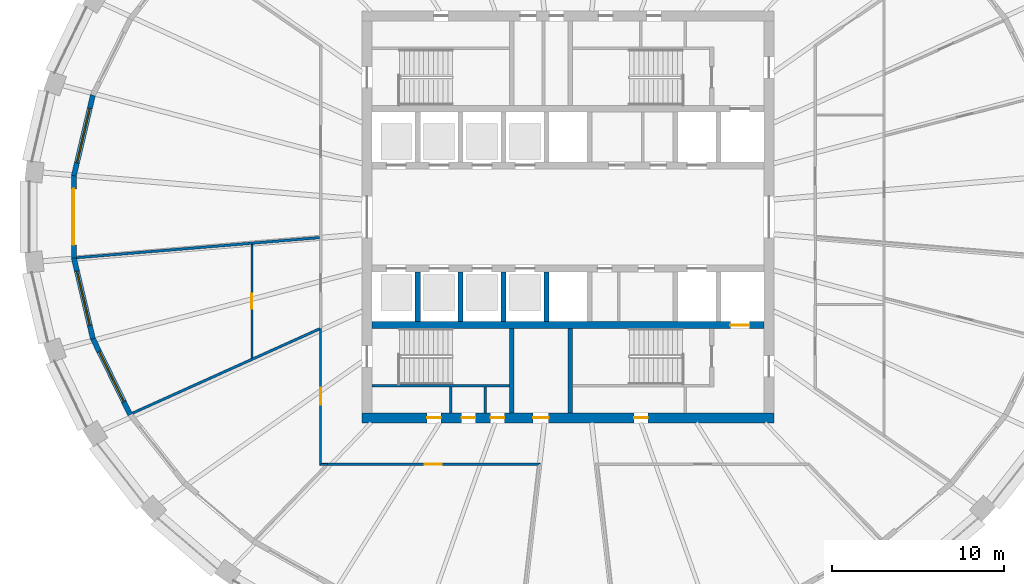
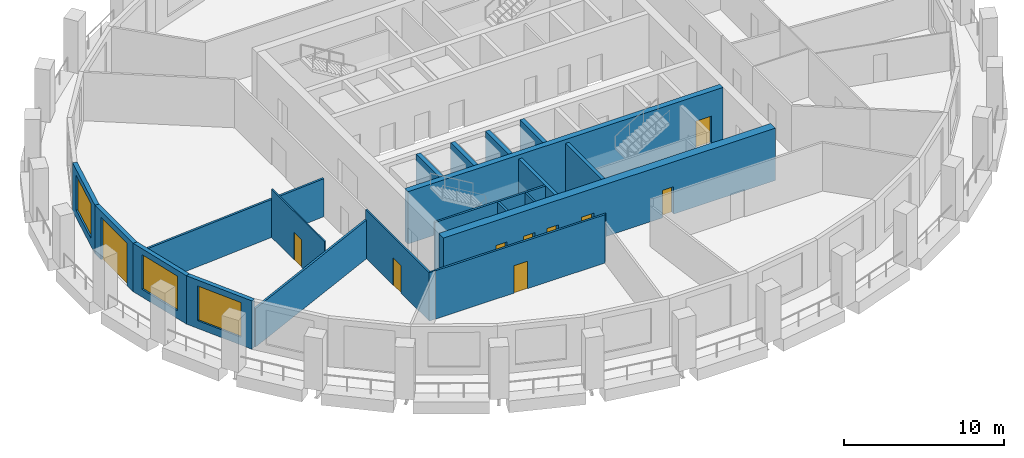
# One storey, part 3 of 11: 21 walls, 10 doors, 3 windows, 13 openings.
"""IFC4 building model written with IfcOpenShell, lengths in metres."""

from ifc_helpers import new_model, si_unit, direction, frame, frame_2d, origin, place, context, subcontext, project, spatial, polyline, rectangle, outline, extrude, material, layer, layer_set, type_object, element, fill, save


model = new_model("IFC4")

# Units and contexts
model_context = context("Model", 3, precision=1e-05, world=origin(), true_north=direction((0.0, 1.0)))
body_context = subcontext(model_context, "Body", "Model", "MODEL_VIEW")
ifc_project = project(units=[si_unit("LENGTHUNIT", "METRE"), si_unit("AREAUNIT", "SQUARE_METRE"), si_unit("VOLUMEUNIT", "CUBIC_METRE"), si_unit("PLANEANGLEUNIT", "RADIAN"), si_unit("MASSUNIT", "GRAM", prefix="KILO")], contexts=[model_context])

# Site, building, storey
site_placement = place(None, origin())
site = spatial("IfcSite", under=ifc_project, at=site_placement, CompositionType="ELEMENT")
building_placement = place(site_placement, origin())
building = spatial("IfcBuilding", under=site, at=building_placement, Name="Halqa Exchange Tower", CompositionType="ELEMENT")
storey_placement = place(building_placement, frame((0.0, 0.0, 234.89990234375)))
storey = spatial("IfcBuildingStorey", under=building, at=storey_placement, Name="L54", CompositionType="ELEMENT", Elevation=234.89990234375)

# Walls
ifc_material_1 = material(Name="Fire-rated gypsum board")
ifc_layer_1 = layer(ifc_material_1, 0.14990234375)
ifc_layer_set_1 = layer_set([ifc_layer_1], Name="Fire-rated gypsum board")
wall_type_1 = type_object("IfcWallType", Name="Fire partition EI 60 150", PredefinedType="PARTITIONING", material=ifc_layer_set_1)
wall_1_placement = place(storey_placement, frame((-28.607666015625, -2.375, 0.0), z_axis=(0.0, 0.0, 1.0), x_axis=(0.996598135394, 0.082414540768, 0.0)))
element("IfcWall", 1, at=wall_1_placement, inside=storey, type_object=wall_type_1, Name="L54-PWL-001", PredefinedType="PARTITIONING", context=body_context, shape_type="SweptSolid", body=[
    extrude(outline(polyline([(0.004638671875, -0.074951171875), (1.701416015625, -0.074951171875), (3.3984375, -0.074951171875), (5.095458984375, -0.074951171875), (6.792236328125, -0.074951171875), (8.4892578125, -0.074951171875), (10.18603515625, -0.074951171875), (10.186279296875, -0.07470703125), (10.188720703125, -0.074951171875), (12.181640625, -0.074951171875), (14.1748046875, -0.074951171875), (14.186767578125, 0.07080078125), (14.186767578125, 0.074951171875), (12.413330078125, 0.074951171875), (10.64013671875, 0.074951171875), (8.86669921875, 0.074951171875), (7.09326171875, 0.074951171875), (5.320068359375, 0.074951171875), (3.546630859375, 0.074951171875), (1.7734375, 0.074951171875), (0.0, 0.074951171875), (0.0, -0.04443359375), (0.004638671875, -0.074951171875)])), origin(), (0.0, 0.0, 1.0), 2.91015625),
])
wall_2_placement = place(storey_placement, frame((-25.360107421875, -11.428466796875, 0.0), z_axis=(0.0, 0.0, 1.0), x_axis=(0.911719171836, 0.410814011089, 0.0)))
element("IfcWall", 2, at=wall_2_placement, inside=storey, type_object=wall_type_1, Name="L54-PWL-002", PredefinedType="PARTITIONING", context=body_context, shape_type="SweptSolid", body=[
    extrude(outline(polyline([(0.0205078125, -0.074951171875), (2.004150390625, -0.074951171875), (3.98779296875, -0.074951171875), (5.97119140625, -0.074951171875), (7.954833984375, -0.074951171875), (9.938232421875, -0.074951171875), (11.921875, -0.074951171875), (11.966552734375, 0.024658203125), (11.952880859375, 0.03076171875), (11.972412109375, 0.073974609375), (11.972412109375, 0.074951171875), (10.555908203125, 0.074951171875), (9.13916015625, 0.074951171875), (7.72265625, 0.074951171875), (7.7216796875, 0.07275390625), (7.716796875, 0.074951171875), (5.78759765625, 0.074951171875), (3.8583984375, 0.074951171875), (1.92919921875, 0.074951171875), (0.0, 0.074951171875), (0.0, 0.062744140625), (0.002197265625, -0.001708984375), (0.0205078125, -0.074951171875)])), origin(), (0.0, 0.0, 1.0), 2.947021484375),
])

# Wall, opening, door
wall_3_placement = place(storey_placement, frame((-1.595703125, -14.39990234375, 0.0), z_axis=(0.0, 0.0, 1.0), x_axis=(-1.0, 0.0, 0.0)))
wall_3 = element("IfcWall", 3, at=wall_3_placement, inside=storey, type_object=wall_type_1, Name="L54-PWL-012", PredefinedType="PARTITIONING", context=body_context, shape_type="SweptSolid", body=[
    extrude(outline(polyline([(12.414306640625, 0.074951171875), (10.664794921875, 0.074951171875), (8.91552734375, 0.074951171875), (7.166015625, 0.074951171875), (5.416748046875, 0.074951171875), (3.667236328125, 0.074951171875), (1.917724609375, 0.074951171875), (0.16845703125, 0.074951171875), (0.0, -0.074951171875), (0.0, -0.074951171875), (1.7734375, -0.074951171875), (3.546875, -0.074951171875), (5.3203125, -0.074951171875), (7.093994140625, -0.074951171875), (8.867431640625, -0.074951171875), (10.640869140625, -0.074951171875), (12.414306640625, -0.074951171875), (12.414306640625, 0.074951171875)])), origin(), (0.0, 0.0, 1.0), 3.7001953125),
])
opening_1_placement = place(wall_3_placement, frame((5.749267578125, 0.0, 0.0)))
opening_1 = element("IfcOpeningElement", 4, at=opening_1_placement, cuts=wall_3, Name="Opening 16-05", PredefinedType="OPENING", context=body_context, shape_type="SweptSolid", body=[
    extrude(rectangle(XDim=1.0, YDim=2.10009765625, at=frame_2d((0.5, 1.050048828125))), frame((0.0, 0.0869140625, 0.0), z_axis=(0.0, -1.0, 0.0), x_axis=(1.0, 0.0, 0.0)), (0.0, 0.0, 1.0), 0.173828125),
])
ifc_material_2 = material(Name="Steel fire door leaf", Category="steel")
door_type_1 = type_object("IfcDoorType", Name="Fire door FD30S 1000 x 2100", OperationType="SINGLE_SWING_LEFT", PredefinedType="DOOR", material=ifc_material_2)
door_1_placement = place(opening_1_placement, origin())
door_1 = element("IfcDoor", 5, at=door_1_placement, inside=storey, type_object=door_type_1, Name="L54-IDR-005", OperationType="SINGLE_SWING_LEFT", OverallHeight=2.10009765625, OverallWidth=1.0, PredefinedType="DOOR", context=body_context, shape_type="SweptSolid", body=[
    extrude(rectangle(XDim=1.0, YDim=2.10009765625, at=frame_2d((0.5, 1.050048828125))), frame((0.0, 0.02490234375, 0.0), z_axis=(0.0, -1.0, 0.0), x_axis=(1.0, 0.0, 0.0)), (0.0, 0.0, 1.0), 0.050048828125),
])
fill(opening_1, door_1)

ifc_material_3 = material(Name="Fire-rated glazing", Category="glass")
ifc_layer_2 = layer(ifc_material_3, 0.1201171875)
ifc_layer_set_2 = layer_set([ifc_layer_2], Name="Fire-rated glazing")
wall_type_2 = type_object("IfcWallType", Name="Glazed fire partition EI 60 120", PredefinedType="PARTITIONING", material=ifc_layer_set_2)
wall_4_placement = place(storey_placement, frame((-14.39990234375, -14.4599609375, 0.0), z_axis=(0.0, 0.0, 1.0), x_axis=(0.0, 1.0, 0.0)))
wall_4 = element("IfcWall", 6, at=wall_4_placement, inside=storey, type_object=wall_type_2, Name="L54-PWL-005", PredefinedType="PARTITIONING", context=body_context, shape_type="SweptSolid", body=[
    extrude(outline(polyline([(7.969970703125, 0.06005859375), (5.9775390625, 0.06005859375), (3.98486328125, 0.06005859375), (1.992431640625, 0.06005859375), (0.0, 0.06005859375), (0.1201171875, -0.06005859375), (2.08251953125, -0.06005859375), (4.044921875, -0.06005859375), (6.007568359375, -0.06005859375), (7.969970703125, -0.06005859375), (7.969970703125, 0.06005859375)])), origin(), (0.0, 0.0, 1.0), 3.7001953125),
])
opening_2_placement = place(wall_4_placement, frame((3.514892578125, 0.0, 0.0)))
opening_2 = element("IfcOpeningElement", 7, at=opening_2_placement, cuts=wall_4, Name="Opening 16-04", PredefinedType="OPENING", context=body_context, shape_type="SweptSolid", body=[
    extrude(rectangle(XDim=1.0, YDim=2.10009765625, at=frame_2d((0.5, 1.050048828125))), frame((0.0, 0.072021484375, 0.0), z_axis=(0.0, -1.0, 0.0), x_axis=(1.0, 0.0, 0.0)), (0.0, 0.0, 1.0), 0.14404296875),
])
door_2_placement = place(opening_2_placement, origin())
door_2 = element("IfcDoor", 8, at=door_2_placement, inside=storey, type_object=door_type_1, Name="L54-IDR-004", OperationType="SINGLE_SWING_LEFT", OverallHeight=2.10009765625, OverallWidth=1.0, PredefinedType="DOOR", context=body_context, shape_type="SweptSolid", body=[
    extrude(rectangle(XDim=1.0, YDim=2.10009765625, at=frame_2d((0.5, 1.050048828125))), frame((0.0, 0.02490234375, 0.0), z_axis=(0.0, -1.0, 0.0), x_axis=(1.0, 0.0, 0.0)), (0.0, 0.0, 1.0), 0.050048828125),
])
fill(opening_2, door_2)

# Wall
wall_5_placement = place(storey_placement, frame((-14.010009765625, -14.39990234375, 0.0), z_axis=(0.0, 0.0, 1.0), x_axis=(-1.0, 0.0, 0.0)))
element("IfcWall", 9, at=wall_5_placement, inside=storey, type_object=wall_type_2, Name="L54-PWL-009", PredefinedType="PARTITIONING", context=body_context, shape_type="SweptSolid", body=[
    extrude(outline(polyline([(0.0, -0.06005859375), (0.329833984375, -0.06005859375), (0.449951171875, 0.06005859375), (0.0, 0.06005859375), (0.0, -0.06005859375)])), origin(), (0.0, 0.0, 1.0), 3.7001953125),
])

# Wall, opening, door
ifc_material_4 = material(Name="Gypsum board")
ifc_layer_3 = layer(ifc_material_4, 0.10009765625)
ifc_layer_set_3 = layer_set([ifc_layer_3], Name="Gypsum board")
wall_type_3 = type_object("IfcWallType", Name="Partition 100 gypsum", PredefinedType="PARTITIONING", material=ifc_layer_set_3)
wall_6_placement = place(storey_placement, frame((-18.39990234375, -8.232421875, 0.0), z_axis=(0.0, 0.0, 1.0), x_axis=(0.0, 1.0, 0.0)))
wall_6 = element("IfcWall", 10, at=wall_6_placement, inside=storey, type_object=wall_type_3, Name="L54-PWL-003", PredefinedType="PARTITIONING", context=body_context, shape_type="SweptSolid", body=[
    extrude(outline(polyline([(6.63037109375, -0.050048828125), (6.63037109375, -0.04833984375), (6.622314453125, 0.050048828125), (4.966796875, 0.050048828125), (3.31103515625, 0.050048828125), (1.655517578125, 0.050048828125), (0.0, 0.050048828125), (0.0, 0.0498046875), (0.044921875, -0.050048828125), (1.69140625, -0.050048828125), (3.337646484375, -0.050048828125), (4.984130859375, -0.050048828125), (6.63037109375, -0.050048828125)])), origin(), (0.0, 0.0, 1.0), 3.7001953125),
])
opening_3_placement = place(wall_6_placement, frame((2.87255859375, 0.0, 0.0)))
opening_3 = element("IfcOpeningElement", 11, at=opening_3_placement, cuts=wall_6, Name="Opening 16-11", PredefinedType="OPENING", context=body_context, shape_type="SweptSolid", body=[
    extrude(rectangle(XDim=0.89990234375, YDim=2.10009765625, at=frame_2d((0.449951171875, 1.050048828125))), frame((0.0, 0.06201171875, 0.0), z_axis=(0.0, -1.0, 0.0), x_axis=(1.0, 0.0, 0.0)), (0.0, 0.0, 1.0), 0.1240234375),
])
ifc_material_5 = material(Name="Timber door leaf", Category="wood")
door_type_2 = type_object("IfcDoorType", Name="Door 900 x 2100", OperationType="SINGLE_SWING_LEFT", PredefinedType="DOOR", material=ifc_material_5)
door_3_placement = place(opening_3_placement, frame((0.89990234375, 0.0, 0.0), z_axis=(0.0, 0.0, 1.0), x_axis=(-1.0, 0.0, 0.0)))
door_3 = element("IfcDoor", 12, at=door_3_placement, inside=storey, type_object=door_type_2, Name="L54-IDR-011", OperationType="SINGLE_SWING_RIGHT", OverallHeight=2.10009765625, OverallWidth=0.89990234375, PredefinedType="DOOR", context=body_context, shape_type="SweptSolid", body=[
    extrude(rectangle(XDim=0.89990234375, YDim=2.10009765625, at=frame_2d((0.449951171875, 1.050048828125))), frame((0.0, 0.02490234375, 0.0), z_axis=(0.0, -1.0, 0.0), x_axis=(1.0, 0.0, 0.0)), (0.0, 0.0, 1.0), 0.050048828125),
])
fill(opening_3, door_3)

# Walls
ifc_layer_4 = layer(ifc_material_4, 0.14990234375)
ifc_layer_set_4 = layer_set([ifc_layer_4], Name="Gypsum board")
wall_type_4 = type_object("IfcWallType", Name="Penthouse riser wall 150 gypsum", PredefinedType="PARTITIONING", material=ifc_layer_set_4)
for number, where, z_axis, x_axis, name in (
    (13, (-6.824951171875, -11.39990234375, 0.0), (0.0, 0.0, 1.0), (0.0, 1.0, 0.0), "Partition W6.825 S"),
    (14, (-4.824951171875, -11.39990234375, 0.0), (0.0, 0.0, 1.0), (0.0, 1.0, 0.0), "Partition W4.825 S"),
):
    element("IfcWall", number, at=place(storey_placement, frame(where, z_axis=z_axis, x_axis=x_axis)), inside=storey, type_object=wall_type_4, Name=name, PredefinedType="PARTITIONING", context=body_context, shape_type="SweptSolid", body=[
        extrude(rectangle(XDim=1.5, YDim=0.14990234375, at=frame_2d((0.75, 0.0))), origin(), (0.0, 0.0, 1.0), 3.7001953125),
    ])
ifc_material_6 = material(Name="Concrete C60/75", Category="concrete")
ifc_layer_5 = layer(ifc_material_6, 0.300048828125)
ifc_layer_set_5 = layer_set([ifc_layer_5], Name="Concrete C60/75")
wall_type_5 = type_object("IfcWallType", Name="RC core wall 300", PredefinedType="SHEAR", material=ifc_layer_set_5)
for number, where, z_axis, x_axis, name in (
    (15, (-8.75, -6.10009765625, 0.0), (0.0, 0.0, 1.0), (0.0, 1.0, 0.0), "Shaft divider S1"),
    (16, (-6.25, -6.10009765625, 0.0), (0.0, 0.0, 1.0), (0.0, 1.0, 0.0), "Shaft divider S2"),
    (17, (-3.75, -6.10009765625, 0.0), (0.0, 0.0, 1.0), (0.0, 1.0, 0.0), "Shaft divider S3"),
    (18, (-1.25, -6.10009765625, 0.0), (0.0, 0.0, 1.0), (0.0, 1.0, 0.0), "Shaft divider S4"),
):
    element("IfcWall", number, at=place(storey_placement, frame(where, z_axis=z_axis, x_axis=x_axis)), inside=storey, type_object=wall_type_5, Name=name, PredefinedType="SHEAR", context=body_context, shape_type="SweptSolid", body=[
        extrude(rectangle(XDim=2.900146484375, YDim=0.300048828125, at=frame_2d((1.4501953125, 0.0))), origin(), (0.0, 0.0, 1.0), 4.0),
    ])

# Wall, opening, door
ifc_material_7 = material(Name="Concrete C70/85", Category="concrete")
ifc_layer_6 = layer(ifc_material_7, 0.39990234375)
ifc_layer_set_6 = layer_set([ifc_layer_6], Name="Concrete C70/85")
wall_type_6 = type_object("IfcWallType", Name="RC core wall 400 C70/85", PredefinedType="SHEAR", material=ifc_layer_set_6)
wall_7_placement = place(storey_placement, frame((-11.39990234375, -6.300048828125, 0.0), z_axis=(0.0, 0.0, 1.0), x_axis=(1.0, 0.0, 0.0)))
wall_7 = element("IfcWall", 19, at=wall_7_placement, inside=storey, type_object=wall_type_6, Name="Lift row back wall S", PredefinedType="SHEAR", context=body_context, shape_type="SweptSolid", body=[
    extrude(rectangle(XDim=22.7998046875, YDim=0.39990234375, at=frame_2d((11.39990234375, 0.0))), origin(), (0.0, 0.0, 1.0), 4.0),
])
opening_4_placement = place(wall_7_placement, frame((20.85009765625, 0.0, 0.0)))
opening_4 = element("IfcOpeningElement", 20, at=opening_4_placement, cuts=wall_7, Name="Opening LD-FF2-T16", PredefinedType="OPENING", context=body_context, shape_type="SweptSolid", body=[
    extrude(rectangle(XDim=1.10009765625, YDim=2.10009765625, at=frame_2d((0.550048828125, 1.050048828125))), frame((0.0, 0.2119140625, 0.0), z_axis=(0.0, -1.0, 0.0), x_axis=(1.0, 0.0, 0.0)), (0.0, 0.0, 1.0), 0.423828125),
])
ifc_material_8 = material(Name="Stainless steel", Category="steel")
door_type_3 = type_object("IfcDoorType", Name="Lift landing door 1100 x 2100", OperationType="SLIDING_TO_LEFT", PredefinedType="DOOR", material=ifc_material_8)
door_4_placement = place(opening_4_placement, origin())
door_4 = element("IfcDoor", 21, at=door_4_placement, inside=storey, type_object=door_type_3, Name="Lift landing door FF2", OperationType="SLIDING_TO_LEFT", OverallHeight=2.10009765625, OverallWidth=1.10009765625, PredefinedType="DOOR", context=body_context, shape_type="SweptSolid", body=[
    extrude(rectangle(XDim=1.10009765625, YDim=2.10009765625, at=frame_2d((0.550048828125, 1.050048828125))), frame((0.0, 0.02490234375, 0.0), z_axis=(0.0, -1.0, 0.0), x_axis=(1.0, 0.0, 0.0)), (0.0, 0.0, 1.0), 0.050048828125),
])
fill(opening_4, door_4)

# Wall, openings, doors
ifc_layer_7 = layer(ifc_material_7, 0.60009765625)
ifc_layer_set_7 = layer_set([ifc_layer_7], Name="Concrete C70/85")
wall_type_7 = type_object("IfcWallType", Name="RC core wall 600 C70/85", PredefinedType="SHEAR", material=ifc_layer_set_7)
wall_8_placement = place(storey_placement, frame((-12.0, -11.699951171875, 0.0), z_axis=(0.0, 0.0, 1.0), x_axis=(1.0, 0.0, 0.0)))
wall_8 = element("IfcWall", 22, at=wall_8_placement, inside=storey, type_object=wall_type_7, Name="Core wall south", PredefinedType="SHEAR", context=body_context, shape_type="SweptSolid", body=[
    extrude(rectangle(XDim=24.0, YDim=0.60009765625, at=frame_2d((12.0, 0.0))), origin(), (0.0, 0.0, 1.0), 4.0),
])
opening_5_placement = place(wall_8_placement, frame((9.97509765625, 0.0, 0.0)))
opening_5 = element("IfcOpeningElement", 23, at=opening_5_placement, cuts=wall_8, Name="Opening T16-C26", PredefinedType="OPENING", context=body_context, shape_type="SweptSolid", body=[
    extrude(rectangle(XDim=0.89990234375, YDim=2.10009765625, at=frame_2d((0.449951171875, 1.050048828125))), frame((0.0, 0.31201171875, 0.0), z_axis=(0.0, -1.0, 0.0), x_axis=(1.0, 0.0, 0.0)), (0.0, 0.0, 1.0), 0.6240234375),
])
opening_6_placement = place(wall_8_placement, frame((3.800048828125, 0.0, 0.0)))
opening_6 = element("IfcOpeningElement", 24, at=opening_6_placement, cuts=wall_8, Name="Opening T16-C27", PredefinedType="OPENING", context=body_context, shape_type="SweptSolid", body=[
    extrude(rectangle(XDim=0.800048828125, YDim=2.10009765625, at=frame_2d((0.39990234375, 1.050048828125))), frame((0.0, 0.31201171875, 0.0), z_axis=(0.0, -1.0, 0.0), x_axis=(1.0, 0.0, 0.0)), (0.0, 0.0, 1.0), 0.6240234375),
])
opening_7_placement = place(wall_8_placement, frame((5.800048828125, 0.0, 0.0)))
opening_7 = element("IfcOpeningElement", 25, at=opening_7_placement, cuts=wall_8, Name="Opening T16-C28", PredefinedType="OPENING", context=body_context, shape_type="SweptSolid", body=[
    extrude(rectangle(XDim=0.800048828125, YDim=2.10009765625, at=frame_2d((0.39990234375, 1.050048828125))), frame((0.0, 0.31201171875, 0.0), z_axis=(0.0, -1.0, 0.0), x_axis=(1.0, 0.0, 0.0)), (0.0, 0.0, 1.0), 0.6240234375),
])
opening_8_placement = place(wall_8_placement, frame((7.5, 0.0, 0.0)))
opening_8 = element("IfcOpeningElement", 26, at=opening_8_placement, cuts=wall_8, Name="Opening T16-C29", PredefinedType="OPENING", context=body_context, shape_type="SweptSolid", body=[
    extrude(rectangle(XDim=0.800048828125, YDim=2.10009765625, at=frame_2d((0.39990234375, 1.050048828125))), frame((0.0, 0.31201171875, 0.0), z_axis=(0.0, -1.0, 0.0), x_axis=(1.0, 0.0, 0.0)), (0.0, 0.0, 1.0), 0.6240234375),
])
opening_9_placement = place(wall_8_placement, frame((15.85009765625, 0.0, 0.0)))
opening_9 = element("IfcOpeningElement", 27, at=opening_9_placement, cuts=wall_8, Name="Opening T16-C30", PredefinedType="OPENING", context=body_context, shape_type="SweptSolid", body=[
    extrude(rectangle(XDim=0.800048828125, YDim=2.10009765625, at=frame_2d((0.39990234375, 1.050048828125))), frame((0.0, 0.31201171875, 0.0), z_axis=(0.0, -1.0, 0.0), x_axis=(1.0, 0.0, 0.0)), (0.0, 0.0, 1.0), 0.6240234375),
])
ifc_material_9 = material(Name="Timber fire door leaf", Category="wood")
door_type_4 = type_object("IfcDoorType", Name="Core room door FD30 900 x 2100", OperationType="SINGLE_SWING_LEFT", PredefinedType="DOOR", material=ifc_material_9)
door_5_placement = place(opening_5_placement, origin())
door_5 = element("IfcDoor", 28, at=door_5_placement, inside=storey, type_object=door_type_4, Name="Core room door", OperationType="SINGLE_SWING_RIGHT", OverallHeight=2.10009765625, OverallWidth=0.89990234375, PredefinedType="DOOR", context=body_context, shape_type="SweptSolid", body=[
    extrude(rectangle(XDim=0.89990234375, YDim=2.10009765625, at=frame_2d((0.449951171875, 1.050048828125))), frame((0.0, 0.02490234375, 0.0), z_axis=(0.0, -1.0, 0.0), x_axis=(1.0, 0.0, 0.0)), (0.0, 0.0, 1.0), 0.050048828125),
])
fill(opening_5, door_5)
door_type_5 = type_object("IfcDoorType", Name="Riser door FD60 800 x 2100", OperationType="SINGLE_SWING_LEFT", PredefinedType="DOOR", material=ifc_material_2)
door_6_placement = place(opening_6_placement, origin())
door_6 = element("IfcDoor", 29, at=door_6_placement, inside=storey, type_object=door_type_5, Name="Core room door", OperationType="SINGLE_SWING_LEFT", OverallHeight=2.10009765625, OverallWidth=0.800048828125, PredefinedType="DOOR", context=body_context, shape_type="SweptSolid", body=[
    extrude(rectangle(XDim=0.800048828125, YDim=2.10009765625, at=frame_2d((0.39990234375, 1.050048828125))), frame((0.0, 0.02490234375, 0.0), z_axis=(0.0, -1.0, 0.0), x_axis=(1.0, 0.0, 0.0)), (0.0, 0.0, 1.0), 0.050048828125),
])
fill(opening_6, door_6)
door_7_placement = place(opening_7_placement, origin())
door_7 = element("IfcDoor", 30, at=door_7_placement, inside=storey, type_object=door_type_5, Name="Core room door", OperationType="SINGLE_SWING_LEFT", OverallHeight=2.10009765625, OverallWidth=0.800048828125, PredefinedType="DOOR", context=body_context, shape_type="SweptSolid", body=[
    extrude(rectangle(XDim=0.800048828125, YDim=2.10009765625, at=frame_2d((0.39990234375, 1.050048828125))), frame((0.0, 0.02490234375, 0.0), z_axis=(0.0, -1.0, 0.0), x_axis=(1.0, 0.0, 0.0)), (0.0, 0.0, 1.0), 0.050048828125),
])
fill(opening_7, door_7)
door_8_placement = place(opening_8_placement, origin())
door_8 = element("IfcDoor", 31, at=door_8_placement, inside=storey, type_object=door_type_5, Name="Core room door", OperationType="SINGLE_SWING_LEFT", OverallHeight=2.10009765625, OverallWidth=0.800048828125, PredefinedType="DOOR", context=body_context, shape_type="SweptSolid", body=[
    extrude(rectangle(XDim=0.800048828125, YDim=2.10009765625, at=frame_2d((0.39990234375, 1.050048828125))), frame((0.0, 0.02490234375, 0.0), z_axis=(0.0, -1.0, 0.0), x_axis=(1.0, 0.0, 0.0)), (0.0, 0.0, 1.0), 0.050048828125),
])
fill(opening_8, door_8)
door_9_placement = place(opening_9_placement, origin())
door_9 = element("IfcDoor", 32, at=door_9_placement, inside=storey, type_object=door_type_5, Name="Core room door", OperationType="SINGLE_SWING_LEFT", OverallHeight=2.10009765625, OverallWidth=0.800048828125, PredefinedType="DOOR", context=body_context, shape_type="SweptSolid", body=[
    extrude(rectangle(XDim=0.800048828125, YDim=2.10009765625, at=frame_2d((0.39990234375, 1.050048828125))), frame((0.0, 0.02490234375, 0.0), z_axis=(0.0, -1.0, 0.0), x_axis=(1.0, 0.0, 0.0)), (0.0, 0.0, 1.0), 0.050048828125),
])
fill(opening_9, door_9)

# Walls
ifc_material_10 = material(Name="Concrete C30/37", Category="concrete")
ifc_layer_8 = layer(ifc_material_10, 0.14990234375)
ifc_layer_set_8 = layer_set([ifc_layer_8], Name="Concrete C30/37")
wall_type_8 = type_object("IfcWallType", Name="RC stair wall 150 C30/37", PredefinedType="SHEAR", material=ifc_layer_set_8)
wall_9_placement = place(storey_placement, frame((-11.39990234375, -9.824951171875, 0.0), z_axis=(0.0, 0.0, 1.0), x_axis=(1.0, 0.0, 0.0)))
element("IfcWall", 33, at=wall_9_placement, inside=storey, type_object=wall_type_8, Name="Stair ST1 north wall S", PredefinedType="SHEAR", context=body_context, shape_type="SweptSolid", body=[
    extrude(rectangle(XDim=8.0, YDim=0.14990234375, at=frame_2d((4.0, 0.0))), origin(), (0.0, 0.0, 1.0), 3.7001953125),
])
ifc_layer_9 = layer(ifc_material_10, 0.25)
ifc_layer_set_9 = layer_set([ifc_layer_9], Name="Concrete C30/37")
wall_type_9 = type_object("IfcWallType", Name="RC stair wall 250 C30/37", PredefinedType="SHEAR", material=ifc_layer_set_9)
for number, where, z_axis, x_axis, name in (
    (34, (-3.27490234375, -11.39990234375, 0.0), (0.0, 0.0, 1.0), (0.0, 1.0, 0.0), "Stair ST1 east wall S"),
    (35, (0.125, -11.39990234375, 0.0), (0.0, 0.0, 1.0), (0.0, 1.0, 0.0), "Stair ST2 west wall S"),
):
    element("IfcWall", number, at=place(storey_placement, frame(where, z_axis=z_axis, x_axis=x_axis)), inside=storey, type_object=wall_type_9, Name=name, PredefinedType="SHEAR", context=body_context, shape_type="SweptSolid", body=[
        extrude(rectangle(XDim=4.89990234375, YDim=0.25, at=frame_2d((2.449951171875, 0.0))), origin(), (0.0, 0.0, 1.0), 3.7001953125),
    ])

# Wall, opening, window
ifc_material_11 = material(Name="Limestone cladding", Category="masonry")
ifc_layer_10 = layer(ifc_material_11, 0.0400390625)
ifc_material_12 = material(Name="Ventilated cavity")
ifc_layer_11 = layer(ifc_material_12, 0.030029296875, ventilated=True)
ifc_material_13 = material(Name="Mineral wool insulation")
ifc_layer_12 = layer(ifc_material_13, 0.10009765625)
ifc_layer_13 = layer(ifc_material_10, 0.10009765625)
ifc_material_14 = material(Name="Internal plaster")
ifc_layer_14 = layer(ifc_material_14, 0.030029296875)
ifc_layer_set_10 = layer_set([ifc_layer_10, ifc_layer_11, ifc_layer_12, ifc_layer_13, ifc_layer_14], Name="Stone-faced insulated wall 300")
wall_type_10 = type_object("IfcWallType", Name="Stone-faced insulated wall 300", PredefinedType="STANDARD", material=ifc_layer_set_10)
wall_10_placement = place(storey_placement, frame((-27.656494140625, 7.0888671875, 0.0), z_axis=(0.0, 0.0, 1.0), x_axis=(-0.229617574796, -0.97328093033, 0.0)))
wall_10 = element("IfcWall", 36, at=wall_10_placement, inside=storey, type_object=wall_type_10, Name="Glass-line wall 15", PredefinedType="STANDARD", context=body_context, shape_type="SweptSolid", body=[
    extrude(outline(polyline([(-0.016845703125, -0.14990234375), (4.84130859375, -0.14990234375), (4.806640625, 0.14990234375), (0.016845703125, 0.14990234375), (-0.016845703125, -0.14990234375)])), origin(), (0.0, 0.0, 1.0), 3.7001953125),
])
opening_10_placement = place(wall_10_placement, frame((0.786865234375, 0.0, 0.60009765625)))
opening_10 = element("IfcOpeningElement", 37, at=opening_10_placement, cuts=wall_10, Name="Opening W-F3-15", PredefinedType="OPENING", context=body_context, shape_type="SweptSolid", body=[
    extrude(rectangle(XDim=3.25, YDim=2.64990234375, at=frame_2d((1.625, 1.324951171875))), frame((0.0, 0.162109375, 0.0), z_axis=(0.0, -1.0, 0.0), x_axis=(1.0, 0.0, 0.0)), (0.0, 0.0, 1.0), 0.323974609375),
])
ifc_material_15 = material(Name="Clear low-emissivity glass in aluminium frame", Category="aluminium")
window_type = type_object("IfcWindowType", Name="Fixed clear glazed window 3250 x 2650", PartitioningType="TRIPLE_PANEL_VERTICAL", PredefinedType="WINDOW", material=ifc_material_15)
window_1_placement = place(opening_10_placement, origin())
window_1 = element("IfcWindow", 38, at=window_1_placement, inside=storey, type_object=window_type, Name="Window 3", OverallHeight=2.64990234375, OverallWidth=3.25, PartitioningType="TRIPLE_PANEL_VERTICAL", PredefinedType="WINDOW", context=body_context, shape_type="SweptSolid", body=[
    extrude(rectangle(XDim=3.25, YDim=2.64990234375, at=frame_2d((1.625, 1.324951171875))), frame((0.0, 0.030029296875, 0.0), z_axis=(0.0, -1.0, 0.0), x_axis=(1.0, 0.0, 0.0)), (0.0, 0.0, 1.0), 0.06005859375),
])
fill(opening_10, window_1)

# Wall, opening, door
wall_11_placement = place(storey_placement, frame((-28.76416015625, 2.393798828125, 0.0), z_axis=(0.0, 0.0, 1.0), x_axis=(0.0, -1.0, 0.0)))
wall_11 = element("IfcWall", 39, at=wall_11_placement, inside=storey, type_object=wall_type_10, Name="Glass-line wall 16", PredefinedType="STANDARD", context=body_context, shape_type="SweptSolid", body=[
    extrude(outline(polyline([(-0.017333984375, -0.14990234375), (4.804931640625, -0.14990234375), (4.770263671875, 0.14990234375), (0.017333984375, 0.14990234375), (-0.017333984375, -0.14990234375)])), origin(), (0.0, 0.0, 1.0), 3.7001953125),
])
opening_11_placement = place(wall_11_placement, frame((0.768798828125, 0.0, 0.0)))
opening_11 = element("IfcOpeningElement", 40, at=opening_11_placement, cuts=wall_11, Name="Opening LG-F3-04", PredefinedType="OPENING", context=body_context, shape_type="SweptSolid", body=[
    extrude(rectangle(XDim=3.25, YDim=3.25, at=frame_2d((1.625, 1.625))), frame((0.0, 0.162109375, 0.0), z_axis=(0.0, -1.0, 0.0), x_axis=(1.0, 0.0, 0.0)), (0.0, 0.0, 1.0), 0.323974609375),
])
door_type_6 = type_object("IfcDoorType", Name="Glazed sliding loggia door 3250 x 3250", OperationType="DOUBLE_DOOR_SLIDING", PredefinedType="DOOR", material=ifc_material_15)
door_10_placement = place(opening_11_placement, origin())
door_10 = element("IfcDoor", 41, at=door_10_placement, inside=storey, type_object=door_type_6, Name="Loggia door 4", OperationType="DOUBLE_DOOR_SLIDING", OverallHeight=3.25, OverallWidth=3.25, PredefinedType="DOOR", context=body_context, shape_type="SweptSolid", body=[
    extrude(rectangle(XDim=3.25, YDim=3.25, at=frame_2d((1.625, 1.625))), frame((0.0, 0.02490234375, 0.0), z_axis=(0.0, -1.0, 0.0), x_axis=(1.0, 0.0, 0.0)), (0.0, 0.0, 1.0), 0.050048828125),
])
fill(opening_11, door_10)

# Wall, opening, window
wall_12_placement = place(storey_placement, frame((-28.76416015625, -2.393798828125, 0.0), z_axis=(0.0, 0.0, 1.0), x_axis=(0.229617574796, -0.97328093033, 0.0)))
wall_12 = element("IfcWall", 42, at=wall_12_placement, inside=storey, type_object=wall_type_10, Name="Glass-line wall 17", PredefinedType="STANDARD", context=body_context, shape_type="SweptSolid", body=[
    extrude(outline(polyline([(-0.017333984375, -0.14990234375), (4.8408203125, -0.14990234375), (4.80712890625, 0.14990234375), (0.017333984375, 0.14990234375), (-0.017333984375, -0.14990234375)])), origin(), (0.0, 0.0, 1.0), 3.7001953125),
])
opening_12_placement = place(wall_12_placement, frame((0.786865234375, 0.0, 0.60009765625)))
opening_12 = element("IfcOpeningElement", 43, at=opening_12_placement, cuts=wall_12, Name="Opening W-F3-17", PredefinedType="OPENING", context=body_context, shape_type="SweptSolid", body=[
    extrude(rectangle(XDim=3.25, YDim=2.64990234375, at=frame_2d((1.625, 1.324951171875))), frame((0.0, 0.162109375, 0.0), z_axis=(0.0, -1.0, 0.0), x_axis=(1.0, 0.0, 0.0)), (0.0, 0.0, 1.0), 0.323974609375),
])
window_2_placement = place(opening_12_placement, origin())
window_2 = element("IfcWindow", 44, at=window_2_placement, inside=storey, type_object=window_type, Name="Window 3", OverallHeight=2.64990234375, OverallWidth=3.25, PartitioningType="TRIPLE_PANEL_VERTICAL", PredefinedType="WINDOW", context=body_context, shape_type="SweptSolid", body=[
    extrude(rectangle(XDim=3.25, YDim=2.64990234375, at=frame_2d((1.625, 1.324951171875))), frame((0.0, 0.030029296875, 0.0), z_axis=(0.0, -1.0, 0.0), x_axis=(1.0, 0.0, 0.0)), (0.0, 0.0, 1.0), 0.06005859375),
])
fill(opening_12, window_2)

wall_13_placement = place(storey_placement, frame((-27.656494140625, -7.0888671875, 0.0), z_axis=(0.0, 0.0, 1.0), x_axis=(0.440857641837, -0.897577038272, 0.0)))
wall_13 = element("IfcWall", 45, at=wall_13_placement, inside=storey, type_object=wall_type_10, Name="Glass-line wall 18", PredefinedType="STANDARD", context=body_context, shape_type="SweptSolid", body=[
    extrude(outline(polyline([(-0.016845703125, -0.14990234375), (4.94140625, -0.14990234375), (4.9091796875, 0.14990234375), (0.016845703125, 0.14990234375), (-0.016845703125, -0.14990234375)])), origin(), (0.0, 0.0, 1.0), 3.7001953125),
])
opening_13_placement = place(wall_13_placement, frame((0.837646484375, 0.0, 0.60009765625)))
opening_13 = element("IfcOpeningElement", 46, at=opening_13_placement, cuts=wall_13, Name="Opening W-F3-18", PredefinedType="OPENING", context=body_context, shape_type="SweptSolid", body=[
    extrude(rectangle(XDim=3.25, YDim=2.64990234375, at=frame_2d((1.625, 1.324951171875))), frame((0.0, 0.162109375, 0.0), z_axis=(0.0, -1.0, 0.0), x_axis=(1.0, 0.0, 0.0)), (0.0, 0.0, 1.0), 0.323974609375),
])
window_3_placement = place(opening_13_placement, origin())
window_3 = element("IfcWindow", 47, at=window_3_placement, inside=storey, type_object=window_type, Name="Window 3", OverallHeight=2.64990234375, OverallWidth=3.25, PartitioningType="TRIPLE_PANEL_VERTICAL", PredefinedType="WINDOW", context=body_context, shape_type="SweptSolid", body=[
    extrude(rectangle(XDim=3.25, YDim=2.64990234375, at=frame_2d((1.625, 1.324951171875))), frame((0.0, 0.030029296875, 0.0), z_axis=(0.0, -1.0, 0.0), x_axis=(1.0, 0.0, 0.0)), (0.0, 0.0, 1.0), 0.06005859375),
])
fill(opening_13, window_3)

save(model, "model.ifc")
